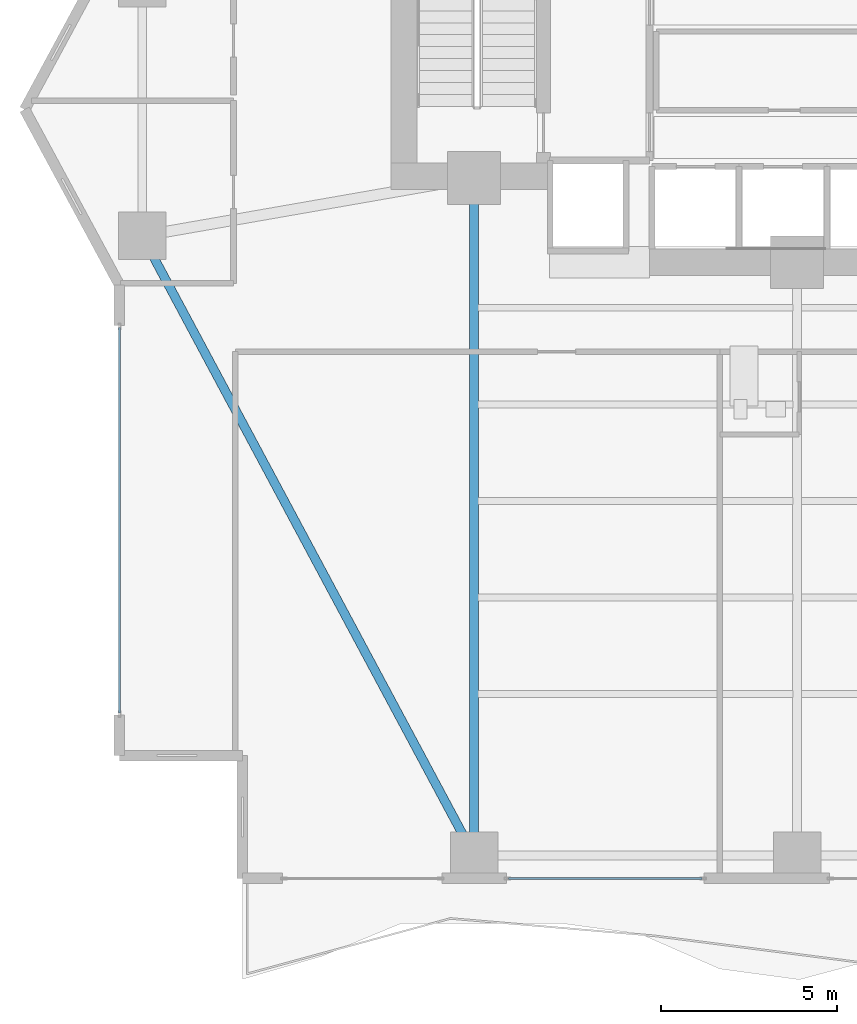
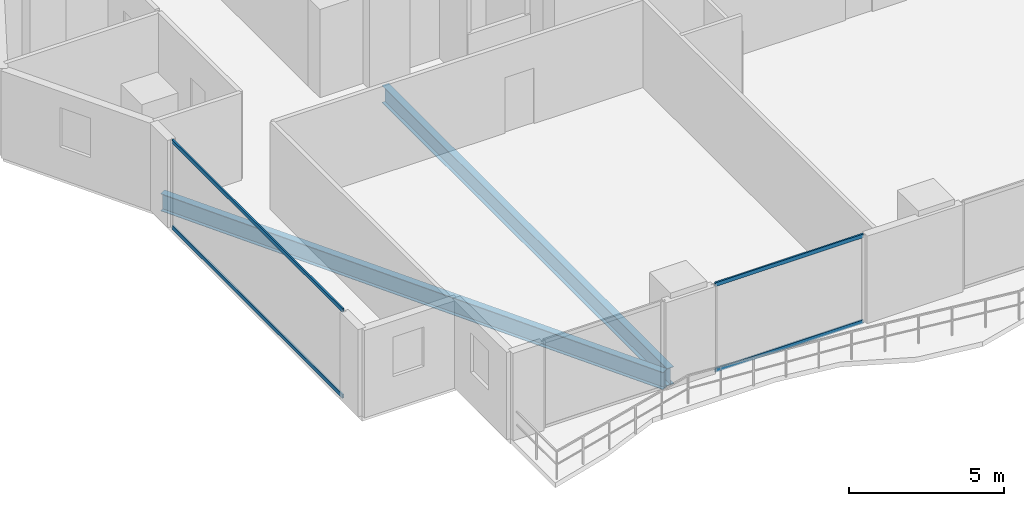
# One storey, part 3 of 29: 4 members, 2 beams, 2 elements without a shape of their own.
"""IFC4 building model written with IfcOpenShell, lengths in metres."""

from ifc_helpers import new_model, si_unit, direction, frame, origin, origin_2d, place, context, subcontext, project, spatial, hollow_rectangle, i_section, extrude, material, layer, layer_set, material_profile, profile_set, type_object, element, aggregate, save


model = new_model("IFC4")

# Units and contexts
model_context = context("Model", 3, precision=1e-05, world=origin(), true_north=direction((0.0, 1.0)))
body_context = subcontext(model_context, "Body", "Model", "MODEL_VIEW")
ifc_project = project(units=[si_unit("LENGTHUNIT", "METRE"), si_unit("AREAUNIT", "SQUARE_METRE"), si_unit("VOLUMEUNIT", "CUBIC_METRE"), si_unit("PLANEANGLEUNIT", "RADIAN"), si_unit("MASSUNIT", "GRAM", prefix="KILO")], contexts=[model_context])

# Site, building, storey
site_placement = place(None, origin())
site = spatial("IfcSite", under=ifc_project, at=site_placement, CompositionType="ELEMENT")
building_placement = place(site_placement, origin())
building = spatial("IfcBuilding", under=site, at=building_placement, Name="Zuhayl Quay Hotel", CompositionType="ELEMENT")
storey_placement = place(building_placement, frame((0.0, 0.0, 106.60009765625)))
storey = spatial("IfcBuildingStorey", under=building, at=storey_placement, Name="L26", CompositionType="ELEMENT", Elevation=106.60009765625)

# Beams
ifc_material_1 = material(Name="Steel ASTM A992 Grade 50", Category="steel")
ifc_material_profile_1 = material_profile(ifc_material_1, i_section(OverallWidth=0.25390625, OverallDepth=0.68310546875, WebThickness=0.012451171875, FlangeThickness=0.018798828125, at=origin_2d()), Name="W27X94")
ifc_profile_set_1 = profile_set([ifc_material_profile_1], Name="Steel ASTM A992 Grade 50")
beam_type = type_object("IfcBeamType", Name="BM_B2_W27X94", PredefinedType="BEAM", material=ifc_profile_set_1)
beam_1_placement = place(storey_placement, frame((-23.013916015625, 2.459228515625, -0.5615234375), z_axis=(0.472017301959, -0.88158928456, 0.0), x_axis=(0.88158928456, 0.472017301959, 0.0)))
element("IfcBeam", 1, at=beam_1_placement, inside=storey, type_object=beam_type, Name="L26 Floor Beam RG_L26_12", PredefinedType="BEAM", context=body_context, shape_type="SweptSolid", body=[
    extrude(i_section(OverallWidth=0.25390625, OverallDepth=0.68310546875, WebThickness=0.012451171875, FlangeThickness=0.018798828125, at=origin_2d()), origin(), (0.0, 0.0, 1.0), 19.0205078125),
])
beam_2_placement = place(storey_placement, frame((-13.800048828125, -14.25, -0.5615234375), z_axis=(0.0, 1.0, 0.0), x_axis=(-1.0, 0.0, 0.0)))
element("IfcBeam", 2, at=beam_2_placement, inside=storey, type_object=beam_type, Name="L26 Floor Beam FG_S_L26_1", PredefinedType="BEAM", context=body_context, shape_type="SweptSolid", body=[
    extrude(i_section(OverallWidth=0.25390625, OverallDepth=0.68310546875, WebThickness=0.012451171875, FlangeThickness=0.018798828125, at=origin_2d()), origin(), (0.0, 0.0, 1.0), 18.35009765625),
])

# Curtain wall, members
ifc_material_2 = material(Name="Anodised Aluminium 6063-T6", Category="aluminium")
ifc_layer = layer(ifc_material_2, 0.179931640625, Name="Anodised Aluminium 6063-T6", Category="aluminium")
ifc_layer_set = layer_set([ifc_layer], Name="Anodised Aluminium 6063-T6")
curtain_wall_type = type_object("IfcCurtainWallType", Name="CW_SYS_Z2", PredefinedType="USERDEFINED", material=ifc_layer_set)
curtain_wall_1_placement = place(storey_placement, origin())
curtain_wall_1 = element("IfcCurtainWall", 3, at=curtain_wall_1_placement, inside=storey, type_object=curtain_wall_type, Name="L26 Curtain Wall ENV_L26_E02_CW1", ObjectType="UNITISED CURTAIN WALL", PredefinedType="USERDEFINED")
ifc_material_3 = material(Name="Black-anodised aluminium 6063-T6", Category="aluminium")
ifc_material_profile_2 = material_profile(ifc_material_3, hollow_rectangle(XDim=0.06005859375, YDim=0.14990234375, WallThickness=0.00341796875, at=origin_2d()), Name="ALU150X60")
ifc_profile_set_2 = profile_set([ifc_material_profile_2], Name="Black-anodised aluminium 6063-T6")
member_type = type_object("IfcMemberType", Name="MB_CW_TRN_150", PredefinedType="USERDEFINED", material=ifc_profile_set_2)
member_1_placement = place(storey_placement, frame((-23.89990234375, -10.68505859375, 0.02978515625), z_axis=(0.0, 1.0, 0.0), x_axis=(-1.0, 0.0, 0.0)))
member_1 = element("IfcMember", 4, at=member_1_placement, type_object=member_type, Name="CW-Z2 transom 1.1", ObjectType="TRANSOM", PredefinedType="USERDEFINED", context=body_context, shape_type="SweptSolid", body=[
    extrude(hollow_rectangle(XDim=0.06005859375, YDim=0.14990234375, WallThickness=0.00341796875, at=origin_2d()), origin(), (0.0, 0.0, 1.0), 10.969970703125),
])
member_2_placement = place(storey_placement, frame((-23.89990234375, -10.68505859375, 3.39990234375), z_axis=(0.0, 1.0, 0.0), x_axis=(-1.0, 0.0, 0.0)))
member_2 = element("IfcMember", 5, at=member_2_placement, type_object=member_type, Name="CW-Z2 transom 1.2", ObjectType="TRANSOM", PredefinedType="USERDEFINED", context=body_context, shape_type="SweptSolid", body=[
    extrude(hollow_rectangle(XDim=0.06005859375, YDim=0.14990234375, WallThickness=0.00341796875, at=origin_2d()), origin(), (0.0, 0.0, 1.0), 10.969970703125),
])
aggregate(curtain_wall_1, [member_1, member_2])

curtain_wall_2_placement = place(storey_placement, origin())
curtain_wall_2 = element("IfcCurtainWall", 6, at=curtain_wall_2_placement, inside=storey, type_object=curtain_wall_type, Name="L26 Curtain Wall ENV_L26_S_CW5", ObjectType="UNITISED CURTAIN WALL", PredefinedType="USERDEFINED")
member_3_placement = place(storey_placement, frame((-7.31494140625, -15.39990234375, 0.02978515625), z_axis=(-1.0, 0.0, 0.0), x_axis=(0.0, -1.0, 0.0)))
member_3 = element("IfcMember", 7, at=member_3_placement, type_object=member_type, Name="CW-Z2 transom 1.1", ObjectType="TRANSOM", PredefinedType="USERDEFINED", context=body_context, shape_type="SweptSolid", body=[
    extrude(hollow_rectangle(XDim=0.06005859375, YDim=0.14990234375, WallThickness=0.00341796875, at=origin_2d()), origin(), (0.0, 0.0, 1.0), 5.5),
])
member_4_placement = place(storey_placement, frame((-7.31494140625, -15.39990234375, 3.39990234375), z_axis=(-1.0, 0.0, 0.0), x_axis=(0.0, -1.0, 0.0)))
member_4 = element("IfcMember", 8, at=member_4_placement, type_object=member_type, Name="CW-Z2 transom 1.2", ObjectType="TRANSOM", PredefinedType="USERDEFINED", context=body_context, shape_type="SweptSolid", body=[
    extrude(hollow_rectangle(XDim=0.06005859375, YDim=0.14990234375, WallThickness=0.00341796875, at=origin_2d()), origin(), (0.0, 0.0, 1.0), 5.5),
])
aggregate(curtain_wall_2, [member_3, member_4])

save(model, "model.ifc")
